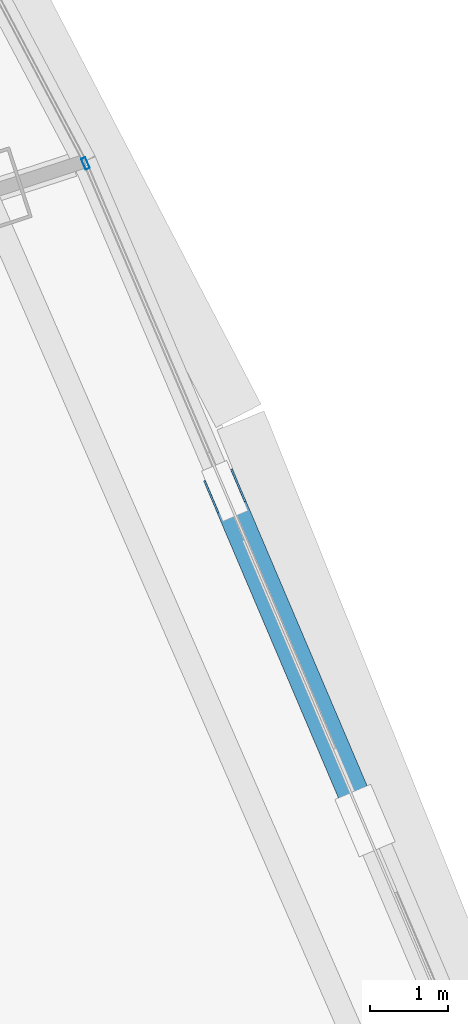
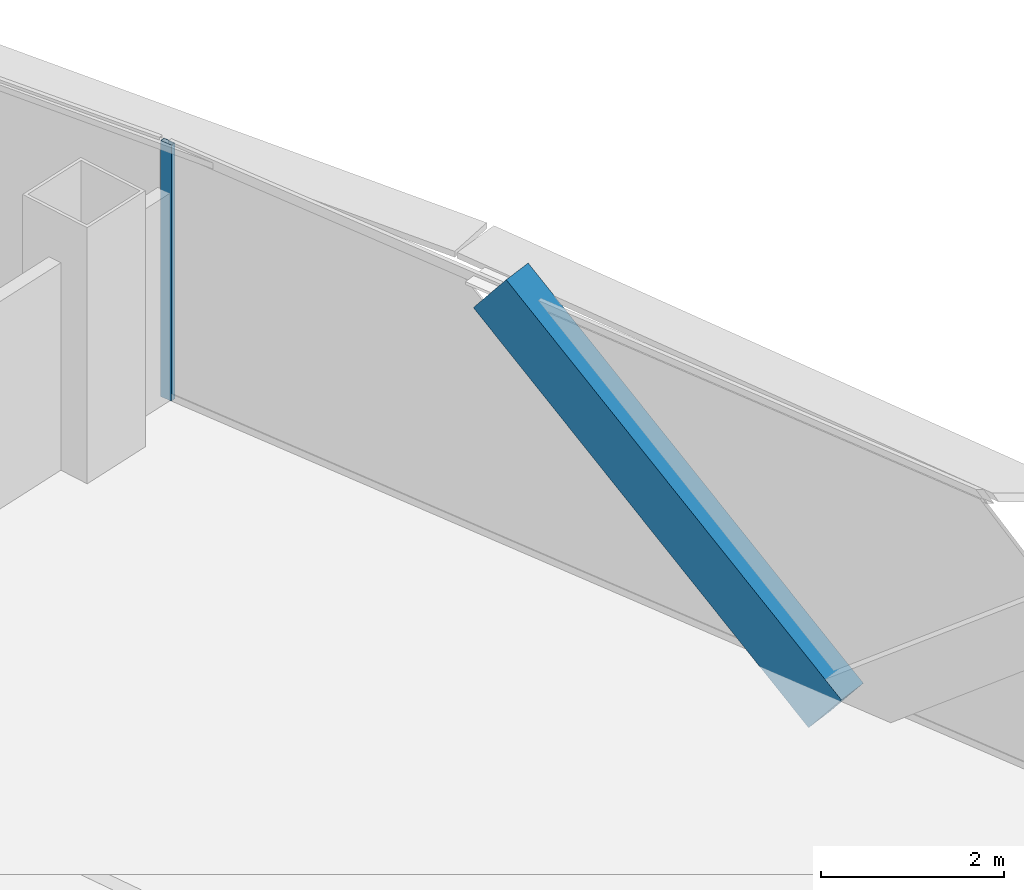
# One storey, part 28 of 42: 2 members, 1 element without a shape of its own.
"""IFC4 building model written with IfcOpenShell, lengths in metres."""

from ifc_helpers import new_model, si_unit, direction, frame, origin, origin_2d, place, context, subcontext, project, spatial, hollow_rectangle, extrude, source, transform, mapped, material, layer, layer_set, material_profile, profile_set, type_object, element, aggregate, save


model = new_model("IFC4")

# Units and contexts
model_context = context("Model", 3, precision=1e-05, world=origin(), true_north=direction((0.0, 1.0)))
body_context = subcontext(model_context, "Body", "Model", "MODEL_VIEW")
ifc_project = project(units=[si_unit("LENGTHUNIT", "METRE"), si_unit("AREAUNIT", "SQUARE_METRE"), si_unit("VOLUMEUNIT", "CUBIC_METRE"), si_unit("PLANEANGLEUNIT", "RADIAN"), si_unit("MASSUNIT", "GRAM", prefix="KILO"), si_unit("THERMODYNAMICTEMPERATUREUNIT", "KELVIN"), si_unit("POWERUNIT", "WATT")], contexts=[model_context])

# Site, building, storey
site_placement = place(None, origin())
site = spatial("IfcSite", under=ifc_project, at=site_placement, CompositionType="ELEMENT")
building_placement = place(site_placement, origin())
building = spatial("IfcBuilding", under=site, at=building_placement, Name="Yunzhuo Pagoda Commons", CompositionType="ELEMENT")
storey_placement = place(building_placement, frame((0.0, 0.0, 151.909912109375)))
storey = spatial("IfcBuildingStorey", under=building, at=storey_placement, Name="L38", CompositionType="ELEMENT", Elevation=151.909912109375)

# Member
ifc_material_1 = material(Name="Structural steel Q355B", Category="steel")
ifc_material_profile_1 = material_profile(ifc_material_1, hollow_rectangle(XDim=0.39990234375, YDim=0.719970703125, WallThickness=0.02392578125, at=origin_2d()), Name="Structural steel Q355B")
ifc_profile_set_1 = profile_set([ifc_material_profile_1], Name="Structural steel Q355B")
member_type_1 = type_object("IfcMemberType", Name="M-DL2 Brace BOX 720x400x24", PredefinedType="BRACE", material=ifc_profile_set_1)
shared_shape_1 = source(origin(), body_context, "Body", "SweptSolid", [
    extrude(hollow_rectangle(XDim=0.39990234375, YDim=0.719970703125, WallThickness=0.02392578125, at=origin_2d()), origin(), (0.0, 0.0, 1.0), 5.8837890625),
])
member_1_placement = place(storey_placement, frame((82.7763671875, 35.383056640625, -0.260009765625), z_axis=(-0.305399742234, 0.717979855962, 0.625488548158), x_axis=(-0.920211701428, -0.391421032336, 0.0)))
element("IfcMember", 1, at=member_1_placement, inside=storey, type_object=member_type_1, Name="L38 facade diamond brace F2.1R", PredefinedType="BRACE", context=body_context, shape_type="MappedRepresentation", body=[
    mapped(shared_shape_1, transform((0.0, 0.0, 0.0), scale=1.0)),
])

# Curtain wall, member
ifc_material_2 = material(Name="Anodized aluminium 6063-T6", Category="aluminium")
ifc_layer = layer(ifc_material_2, 0.14990234375)
ifc_layer_set = layer_set([ifc_layer], Name="Anodized aluminium 6063-T6")
curtain_wall_type = type_object("IfcCurtainWallType", Name="CW-MID Mid-Zone Ribbon Curtain Wall", PredefinedType="NOTDEFINED", material=ifc_layer_set)
curtain_wall_placement = place(storey_placement, origin())
curtain_wall = element("IfcCurtainWall", 2, at=curtain_wall_placement, inside=storey, type_object=curtain_wall_type, Name="L38 curtain wall CW-L38-F2B2", PredefinedType="NOTDEFINED")
ifc_material_profile_2 = material_profile(ifc_material_2, hollow_rectangle(XDim=0.06005859375, YDim=0.14990234375, WallThickness=0.00390625, at=origin_2d()), Name="Anodized aluminium 6063-T6")
ifc_profile_set_2 = profile_set([ifc_material_profile_2], Name="Anodized aluminium 6063-T6")
member_type_2 = type_object("IfcMemberType", Name="CW-MID-M Mullion RHS 150x60x4", PredefinedType="MULLION", material=ifc_profile_set_2)
shared_shape_2 = source(origin(), body_context, "Body", "SweptSolid", [
    extrude(hollow_rectangle(XDim=0.06005859375, YDim=0.14990234375, WallThickness=0.00390625, at=origin_2d()), origin(), (0.0, 0.0, 1.0), 3.420166015625),
])
member_2_placement = place(storey_placement, frame((79.194580078125, 43.80419921875, 0.0), z_axis=(0.0, 0.0, 1.0), x_axis=(-0.92021678471, -0.391409081572, 0.0)))
member_2 = element("IfcMember", 3, at=member_2_placement, type_object=member_type_2, Name="CW mullion 2", PredefinedType="MULLION", context=body_context, shape_type="MappedRepresentation", body=[
    mapped(shared_shape_2, transform((0.0, 0.0, 0.0), scale=1.0)),
])
aggregate(curtain_wall, [member_2])

save(model, "model.ifc")
